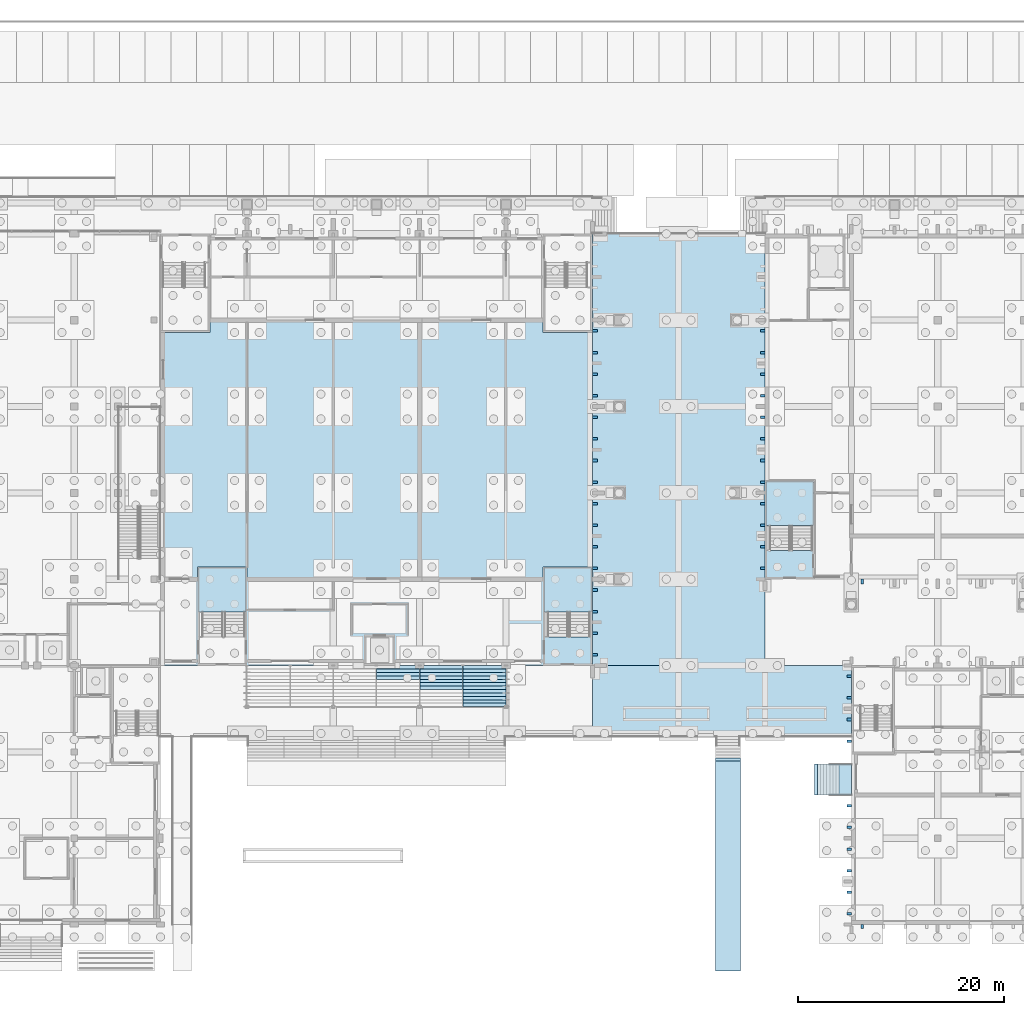
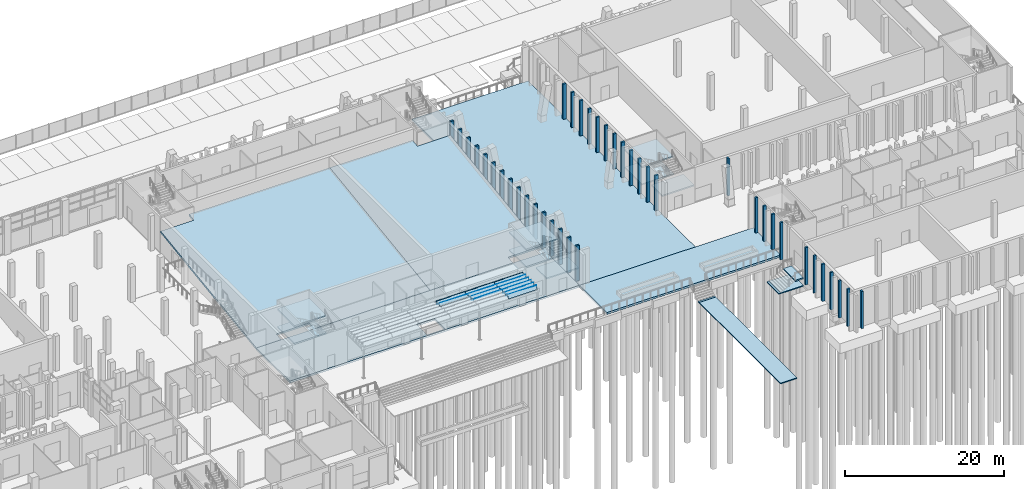
# One storey, part 37 of 129: 63 plates, 18 slabs, 3 elements without a shape of their own.
"""IFC4 building model written with IfcOpenShell, lengths in metres."""

from ifc_helpers import new_model, si_unit, direction, frame, origin, origin_2d, place, context, subcontext, project, spatial, polyline, rectangle, outline, extrude, material, layer, layer_set, type_object, element, aggregate, save


model = new_model("IFC4")

# Units and contexts
model_context = context("Model", 3, precision=1e-05, world=origin(), true_north=direction((0.0, 1.0)))
body_context = subcontext(model_context, "Body", "Model", "MODEL_VIEW")
ifc_project = project(units=[si_unit("LENGTHUNIT", "METRE"), si_unit("AREAUNIT", "SQUARE_METRE"), si_unit("VOLUMEUNIT", "CUBIC_METRE"), si_unit("PLANEANGLEUNIT", "RADIAN"), si_unit("MASSUNIT", "GRAM", prefix="KILO")], contexts=[model_context])

# Site, building, storey
site_placement = place(None, origin())
site = spatial("IfcSite", under=ifc_project, at=site_placement, CompositionType="ELEMENT")
building_placement = place(site_placement, origin())
building = spatial("IfcBuilding", under=site, at=building_placement, Name="Kiln Court Media Centre", CompositionType="ELEMENT")
storey_placement = place(building_placement, origin())
storey = spatial("IfcBuildingStorey", under=building, at=storey_placement, Name="L00", CompositionType="ELEMENT", Elevation=0.0)

# Slabs
ifc_material_1 = material(Name="Concrete C30/37", Category="concrete")
ifc_layer_1 = layer(ifc_material_1, 0.14990234375)
ifc_layer_set_1 = layer_set([ifc_layer_1], Name="Concrete C30/37 paving slab 150")
slab_type_1 = type_object("IfcSlabType", Name="Concrete C30/37 paving slab 150", PredefinedType="BASESLAB", material=ifc_layer_set_1)
slab_1_placement = place(storey_placement, frame((0.0, 0.0, -1.35009765625)))
element("IfcSlab", 1, at=slab_1_placement, inside=storey, type_object=slab_type_1, Name="Paving on grade 9", PredefinedType="BASESLAB", context=body_context, shape_type="SweptSolid", body=[
    extrude(outline(polyline([(115.199951171875, 15.89990234375), (112.800048828125, 15.89990234375), (112.800048828125, -4.5), (115.199951171875, -4.5), (115.199951171875, 15.89990234375)])), origin(), (0.0, 0.0, 1.0), 0.150146484375),
])
slab_2_placement = place(storey_placement, frame((0.0, 0.0, -1.35009765625)))
element("IfcSlab", 2, at=slab_2_placement, inside=storey, type_object=slab_type_1, Name="Paving on grade 10", PredefinedType="BASESLAB", context=body_context, shape_type="SweptSolid", body=[
    extrude(outline(polyline([(122.699951171875, 15.60009765625), (122.699951171875, 12.60009765625), (126.0, 12.60009765625), (126.0, 15.60009765625), (122.699951171875, 15.60009765625)])), origin(), (0.0, 0.0, 1.0), 0.150146484375),
])
ifc_material_2 = material(Name="Concrete C30/37", Category="concrete")
ifc_layer_2 = layer(ifc_material_2, 0.300048828125)
ifc_layer_set_2 = layer_set([ifc_layer_2], Name="Concrete C30/37 plinth slab 300")
slab_type_2 = type_object("IfcSlabType", Name="Concrete C30/37 plinth slab 300", PredefinedType="BASESLAB", material=ifc_layer_set_2)
slab_3_placement = place(storey_placement, frame((0.0, 0.0, -0.300048828125)))
element("IfcSlab", 3, at=slab_3_placement, inside=storey, type_object=slab_type_2, Name="L00-SL-1005", PredefinedType="BASESLAB", context=body_context, shape_type="SweptSolid", body=[
    extrude(outline(polyline([(58.800048828125, 25.199951171875), (58.800048828125, 33.60009765625), (100.800048828125, 33.60009765625), (100.800048828125, 25.199951171875), (58.800048828125, 25.199951171875)]), holes=[polyline([(78.800048828125, 25.39990234375), (81.39990234375, 25.39990234375), (81.39990234375, 28.0), (78.800048828125, 28.0), (78.800048828125, 25.39990234375)])]), origin(), (0.0, 0.0, 1.0), 0.300048828125),
])
slab_4_placement = place(storey_placement, frame((0.0, 0.0, -0.300048828125)))
element("IfcSlab", 4, at=slab_4_placement, inside=storey, type_object=slab_type_2, Name="L00-SL-1011", PredefinedType="BASESLAB", context=body_context, shape_type="SweptSolid", body=[
    extrude(outline(polyline([(100.800048828125, 18.300048828125), (100.800048828125, 25.199951171875), (126.0, 25.199951171875), (126.0, 18.300048828125), (100.800048828125, 18.300048828125)])), origin(), (0.0, 0.0, 1.0), 0.300048828125),
])
slab_5_placement = place(storey_placement, frame((0.0, 0.0, -0.300048828125)))
element("IfcSlab", 5, at=slab_5_placement, inside=storey, type_object=slab_type_2, Name="L00-SL-1012", PredefinedType="BASESLAB", context=body_context, shape_type="SweptSolid", body=[
    extrude(outline(polyline([(100.800048828125, 25.199951171875), (100.800048828125, 67.199951171875), (117.60009765625, 67.199951171875), (117.60009765625, 25.199951171875), (100.800048828125, 25.199951171875)])), origin(), (0.0, 0.0, 1.0), 0.300048828125),
])
ifc_material_3 = material(Name="Concrete C30/37", Category="concrete")
ifc_layer_3 = layer(ifc_material_3, 0.199951171875)
ifc_layer_set_3 = layer_set([ifc_layer_3], Name="Concrete C30/37 porch landing 200")
slab_type_3 = type_object("IfcSlabType", Name="Concrete C30/37 porch landing 200", PredefinedType="LANDING", material=ifc_layer_set_3)
slab_6_placement = place(storey_placement, frame((0.0, 0.0, -0.199951171875)))
element("IfcSlab", 6, at=slab_6_placement, inside=storey, type_object=slab_type_3, Name="EN-10 landing", PredefinedType="LANDING", context=body_context, shape_type="SweptSolid", body=[
    extrude(outline(polyline([(124.800048828125, 12.60009765625), (126.0, 12.60009765625), (126.0, 15.60009765625), (124.800048828125, 15.60009765625), (124.800048828125, 12.60009765625)])), origin(), (0.0, 0.0, 1.0), 0.199951171875),
])
ifc_material_4 = material(Name="Concrete C30/37", Category="concrete")
ifc_layer_4 = layer(ifc_material_4, 0.300048828125)
ifc_layer_set_4 = layer_set([ifc_layer_4], Name="Concrete C30/37 raked slab 300")
slab_type_4 = type_object("IfcSlabType", Name="Concrete C30/37 raked slab 300", PredefinedType="FLOOR", material=ifc_layer_set_4)
slab_7_placement = place(storey_placement, frame((58.800048828125, 33.60009765625, 0.0), z_axis=(5.67693e-07, -0.138651468195, 0.990341239355), x_axis=(0.0, 0.990341239355, 0.138651468195)))
element("IfcSlab", 7, at=slab_7_placement, inside=storey, type_object=slab_type_4, Name="L00-SL-1016", PredefinedType="FLOOR", context=body_context, shape_type="SweptSolid", body=[
    extrude(outline(polyline([(0.0, 0.0), (24.234073571857987, 2.117582368135751e-22), (24.234073571855994, -4.800048828124226), (25.445723816374652, -4.800048828140972), (25.44572381636619, -25.199951171887687), (-1.0455662765393737e-11, -25.19995117187094), (-3.4851871564938323e-12, -8.399902343748646), (1.211650244515171, -8.399902343765392), (1.2116502445171624, -3.599853515641165), (-1.49360822596354e-12, -3.5998535156244196), (0.0, 0.0)])), origin(), (0.0, 0.0, -1.0), 0.300048828125),
])
slab_8_placement = place(storey_placement, frame((84.0, 33.60009765625, 0.0), z_axis=(0.0, -0.138651686234, 0.990341208829), x_axis=(0.0, 0.990341208829, 0.138651686234)))
element("IfcSlab", 8, at=slab_8_placement, inside=storey, type_object=slab_type_4, Name="L00-SL-1017", PredefinedType="FLOOR", context=body_context, shape_type="SweptSolid", body=[
    extrude(outline(polyline([(0.0, 0.0), (25.445723816373626, 0.0), (25.445723816373626, -12.0), (24.234073571861302, -12.0), (24.234073571861302, -16.800048828125), (1.2116502445123276, -16.800048828125), (1.2116502445123276, -12.0), (0.0, -12.0), (0.0, 0.0)])), origin(), (0.0, 0.0, -1.0), 0.300048828125),
])
ifc_material_5 = material(Name="Concrete C30/37", Category="concrete")
ifc_layer_5 = layer(ifc_material_5, 0.14990234375)
ifc_layer_set_5 = layer_set([ifc_layer_5], Name="Concrete C30/37 step foot slab 150")
slab_type_5 = type_object("IfcSlabType", Name="Concrete C30/37 step foot slab 150", PredefinedType="BASESLAB", material=ifc_layer_set_5)
slab_9_placement = place(storey_placement, frame((0.0, 0.0, -1.35009765625)))
element("IfcSlab", 9, at=slab_9_placement, inside=storey, type_object=slab_type_5, Name="Step foot slab", PredefinedType="BASESLAB", context=body_context, shape_type="SweptSolid", body=[
    extrude(outline(polyline([(112.800048828125, 15.89990234375), (115.199951171875, 15.89990234375), (115.199951171875, 16.199951171875), (112.800048828125, 16.199951171875), (112.800048828125, 15.89990234375)])), origin(), (0.0, 0.0, 1.0), 0.150146484375),
])
slab_10_placement = place(storey_placement, frame((0.0, 0.0, -1.35009765625)))
element("IfcSlab", 10, at=slab_10_placement, inside=storey, type_object=slab_type_5, Name="Step foot slab", PredefinedType="BASESLAB", context=body_context, shape_type="SweptSolid", body=[
    extrude(outline(polyline([(122.39990234375, 12.60009765625), (122.699951171875, 12.60009765625), (122.699951171875, 15.60009765625), (122.39990234375, 15.60009765625), (122.39990234375, 12.60009765625)])), origin(), (0.0, 0.0, 1.0), 0.150146484375),
])

# Plates
ifc_material_6 = material(Name="Concrete C40/50", Category="concrete")
ifc_layer_6 = layer(ifc_material_6, 0.25)
ifc_layer_set_6 = layer_set([ifc_layer_6], Name="Concrete C40/50 shading fin 250")
plate_type_1 = type_object("IfcPlateType", Name="Concrete C40/50 shading fin 250", PredefinedType="SHEET", material=ifc_layer_set_6)
for number, where, z_axis, x_axis, name in (
    (11, (101.050048828125, 26.25, -0.2998046875), (0.0, 0.0, 1.0), (1.0, 0.0, 0.0), "V1 E fin L00"),
    (12, (101.050048828125, 28.35009765625, -0.2998046875), (0.0, 0.0, 1.0), (1.0, 0.0, 0.0), "V1 E fin L00"),
    (13, (101.050048828125, 30.449951171875, -0.2998046875), (0.0, 0.0, 1.0), (1.0, 0.0, 0.0), "V1 E fin L00"),
    (14, (101.050048828125, 32.550048828125, -0.2998046875), (0.0, 0.0, 1.0), (1.0, 0.0, 0.0), "V1 E fin L00"),
    (15, (101.050048828125, 34.64990234375, -0.2998046875), (0.0, 0.0, 1.0), (1.0, 0.0, 0.0), "V1 E fin L00"),
    (16, (101.050048828125, 36.75, -0.2998046875), (0.0, 0.0, 1.0), (1.0, 0.0, 0.0), "V1 E fin L00"),
    (17, (101.050048828125, 38.85009765625, -0.2998046875), (0.0, 0.0, 1.0), (1.0, 0.0, 0.0), "V1 E fin L00"),
    (18, (101.050048828125, 40.949951171875, -0.2998046875), (0.0, 0.0, 1.0), (1.0, 0.0, 0.0), "V1 E fin L00"),
    (19, (101.050048828125, 43.050048828125, -0.2998046875), (0.0, 0.0, 1.0), (1.0, 0.0, 0.0), "V1 E fin L00"),
    (20, (101.050048828125, 45.14990234375, -0.2998046875), (0.0, 0.0, 1.0), (1.0, 0.0, 0.0), "V1 E fin L00"),
    (21, (101.050048828125, 47.25, -0.2998046875), (0.0, 0.0, 1.0), (1.0, 0.0, 0.0), "V1 E fin L00"),
    (22, (101.050048828125, 49.35009765625, -0.2998046875), (0.0, 0.0, 1.0), (1.0, 0.0, 0.0), "V1 E fin L00"),
    (23, (101.050048828125, 51.449951171875, -0.2998046875), (0.0, 0.0, 1.0), (1.0, 0.0, 0.0), "V1 E fin L00"),
    (24, (101.050048828125, 53.550048828125, -0.2998046875), (0.0, 0.0, 1.0), (1.0, 0.0, 0.0), "V1 E fin L00"),
    (25, (101.050048828125, 55.64990234375, -0.2998046875), (0.0, 0.0, 1.0), (1.0, 0.0, 0.0), "V1 E fin L00"),
    (26, (101.050048828125, 57.75, -0.2998046875), (0.0, 0.0, 1.0), (1.0, 0.0, 0.0), "V1 E fin L00"),
):
    element("IfcPlate", number, at=place(storey_placement, frame(where, z_axis=z_axis, x_axis=x_axis)), inside=storey, type_object=plate_type_1, Name=name, PredefinedType="SHEET", context=body_context, shape_type="SweptSolid", body=[
        extrude(rectangle(XDim=0.5, YDim=0.25, at=origin_2d()), origin(), (0.0, 0.0, 1.0), 5.699951171875),
    ])
plate_1_placement = place(storey_placement, frame((127.050048828125, 33.375, -0.2998046875), z_axis=(0.0, 0.0, 1.0), x_axis=(1.0, 0.0, 0.0)))
element("IfcPlate", 27, at=plate_1_placement, inside=storey, type_object=plate_type_1, Name="V2 S fin L00", PredefinedType="SHEET", context=body_context, shape_type="SweptSolid", body=[
    extrude(rectangle(XDim=0.25, YDim=0.449951171875, at=origin_2d()), origin(), (0.0, 0.0, 1.0), 5.699951171875),
])
for number, where, z_axis, x_axis, name in (
    (28, (117.375, 34.64990234375, -0.2998046875), (0.0, 0.0, 1.0), (1.0, 0.0, 0.0), "V2 W fin L00"),
    (29, (117.375, 36.75, -0.2998046875), (0.0, 0.0, 1.0), (1.0, 0.0, 0.0), "V2 W fin L00"),
    (30, (117.375, 38.85009765625, -0.2998046875), (0.0, 0.0, 1.0), (1.0, 0.0, 0.0), "V2 W fin L00"),
    (31, (117.375, 40.949951171875, -0.2998046875), (0.0, 0.0, 1.0), (1.0, 0.0, 0.0), "V2 W fin L00"),
    (32, (117.375, 43.050048828125, -0.2998046875), (0.0, 0.0, 1.0), (1.0, 0.0, 0.0), "V2 W fin L00"),
    (33, (117.375, 45.14990234375, -0.2998046875), (0.0, 0.0, 1.0), (1.0, 0.0, 0.0), "V2 W fin L00"),
    (34, (117.375, 47.25, -0.2998046875), (0.0, 0.0, 1.0), (1.0, 0.0, 0.0), "V2 W fin L00"),
    (35, (117.375, 49.35009765625, -0.2998046875), (0.0, 0.0, 1.0), (1.0, 0.0, 0.0), "V2 W fin L00"),
    (36, (117.375, 51.449951171875, -0.2998046875), (0.0, 0.0, 1.0), (1.0, 0.0, 0.0), "V2 W fin L00"),
    (37, (117.375, 53.550048828125, -0.2998046875), (0.0, 0.0, 1.0), (1.0, 0.0, 0.0), "V2 W fin L00"),
    (38, (117.375, 55.64990234375, -0.2998046875), (0.0, 0.0, 1.0), (1.0, 0.0, 0.0), "V2 W fin L00"),
    (39, (117.375, 57.75, -0.2998046875), (0.0, 0.0, 1.0), (1.0, 0.0, 0.0), "V2 W fin L00"),
):
    element("IfcPlate", number, at=place(storey_placement, frame(where, z_axis=z_axis, x_axis=x_axis)), inside=storey, type_object=plate_type_1, Name=name, PredefinedType="SHEET", context=body_context, shape_type="SweptSolid", body=[
        extrude(rectangle(XDim=0.449951171875, YDim=0.25, at=origin_2d()), origin(), (0.0, 0.0, 1.0), 5.699951171875),
    ])
plate_2_placement = place(storey_placement, frame((127.050048828125, -0.199951171875, -0.2998046875), z_axis=(0.0, 0.0, 1.0), x_axis=(1.0, 0.0, 0.0)))
element("IfcPlate", 40, at=plate_2_placement, inside=storey, type_object=plate_type_1, Name="V5 S fin L00", PredefinedType="SHEET", context=body_context, shape_type="SweptSolid", body=[
    extrude(rectangle(XDim=0.25, YDim=0.39990234375, at=origin_2d()), origin(), (0.0, 0.0, 1.0), 5.699951171875),
])
for number, where, z_axis, x_axis, name in (
    (41, (125.800048828125, 1.050048828125, -0.2998046875), (0.0, 0.0, 1.0), (1.0, 0.0, 0.0), "V5 W fin L00"),
    (42, (125.800048828125, 3.14990234375, -0.2998046875), (0.0, 0.0, 1.0), (1.0, 0.0, 0.0), "V5 W fin L00"),
    (43, (125.800048828125, 5.25, -0.2998046875), (0.0, 0.0, 1.0), (1.0, 0.0, 0.0), "V5 W fin L00"),
    (44, (125.800048828125, 7.35009765625, -0.2998046875), (0.0, 0.0, 1.0), (1.0, 0.0, 0.0), "V5 W fin L00"),
    (45, (125.800048828125, 9.449951171875, -0.2998046875), (0.0, 0.0, 1.0), (1.0, 0.0, 0.0), "V5 W fin L00"),
    (46, (125.800048828125, 11.550048828125, -0.2998046875), (0.0, 0.0, 1.0), (1.0, 0.0, 0.0), "V5 W fin L00"),
    (47, (125.800048828125, 17.85009765625, -0.2998046875), (0.0, 0.0, 1.0), (1.0, 0.0, 0.0), "V5 W fin L00"),
    (48, (125.800048828125, 19.949951171875, -0.2998046875), (0.0, 0.0, 1.0), (1.0, 0.0, 0.0), "V5 W fin L00"),
    (49, (125.800048828125, 22.050048828125, -0.2998046875), (0.0, 0.0, 1.0), (1.0, 0.0, 0.0), "V5 W fin L00"),
    (50, (125.800048828125, 24.14990234375, -0.2998046875), (0.0, 0.0, 1.0), (1.0, 0.0, 0.0), "V5 W fin L00"),
):
    element("IfcPlate", number, at=place(storey_placement, frame(where, z_axis=z_axis, x_axis=x_axis)), inside=storey, type_object=plate_type_1, Name=name, PredefinedType="SHEET", context=body_context, shape_type="SweptSolid", body=[
        extrude(rectangle(XDim=0.39990234375, YDim=0.25, at=origin_2d()), origin(), (0.0, 0.0, 1.0), 5.699951171875),
    ])

# Stair, slabs
ifc_material_7 = material(Name="Concrete C40/50", Category="concrete")
stair_type = type_object("IfcStairType", Name="Concrete C40/50 dog-leg stair 2000 wide, 150 riser", PredefinedType="HALF_TURN_STAIR", material=ifc_material_7)
stair_1_placement = place(storey_placement, origin())
stair_1 = element("IfcStair", 51, at=stair_1_placement, inside=storey, type_object=stair_type, Name="ST-09 L00", PredefinedType="HALF_TURN_STAIR")
ifc_material_8 = material(Name="Concrete C40/50", Category="concrete")
ifc_layer_7 = layer(ifc_material_8, 0.199951171875)
ifc_layer_set_7 = layer_set([ifc_layer_7], Name="Concrete C40/50 stair landing 200")
slab_type_6 = type_object("IfcSlabType", Name="Concrete C40/50 stair landing 200", PredefinedType="LANDING", material=ifc_layer_set_7)
slab_11_placement = place(storey_placement, frame((0.0, 0.0, 1.14990234375)))
slab_11 = element("IfcSlab", 52, at=slab_11_placement, type_object=slab_type_6, Name="L00-ST-5008 landing 5024", PredefinedType="LANDING", context=body_context, shape_type="SweptSolid", body=[
    extrude(outline(polyline([(67.1201171875, 30.39990234375), (67.1201171875, 34.719970703125), (62.47998046875, 34.719970703125), (62.47998046875, 30.39990234375), (67.1201171875, 30.39990234375)])), origin(), (0.0, 0.0, 1.0), 0.2001953125),
])
slab_12_placement = place(storey_placement, frame((0.0, 0.0, 3.85009765625)))
slab_12 = element("IfcSlab", 53, at=slab_12_placement, type_object=slab_type_6, Name="L00-ST-5008 landing 5026", PredefinedType="LANDING", context=body_context, shape_type="SweptSolid", body=[
    extrude(outline(polyline([(67.1201171875, 30.39990234375), (67.1201171875, 34.719970703125), (62.47998046875, 34.719970703125), (62.47998046875, 30.39990234375), (67.1201171875, 30.39990234375)])), origin(), (0.0, 0.0, 1.0), 0.199951171875),
])
aggregate(stair_1, [slab_11, slab_12])

stair_2_placement = place(storey_placement, origin())
stair_2 = element("IfcStair", 54, at=stair_2_placement, inside=storey, type_object=stair_type, Name="ST-10 L00", PredefinedType="HALF_TURN_STAIR")
slab_13_placement = place(storey_placement, frame((0.0, 0.0, 1.14990234375)))
slab_13 = element("IfcSlab", 55, at=slab_13_placement, type_object=slab_type_6, Name="L00-ST-5009 landing 5027", PredefinedType="LANDING", context=body_context, shape_type="SweptSolid", body=[
    extrude(outline(polyline([(100.719970703125, 30.39990234375), (100.719970703125, 34.719970703125), (96.080078125, 34.719970703125), (96.080078125, 30.39990234375), (100.719970703125, 30.39990234375)])), origin(), (0.0, 0.0, 1.0), 0.2001953125),
])
slab_14_placement = place(storey_placement, frame((0.0, 0.0, 2.5)))
slab_14 = element("IfcSlab", 56, at=slab_14_placement, type_object=slab_type_6, Name="L00-ST-5009 landing 5028", PredefinedType="LANDING", context=body_context, shape_type="SweptSolid", body=[
    extrude(outline(polyline([(100.719970703125, 25.280029296875), (100.719970703125, 28.0), (96.080078125, 28.0), (96.080078125, 25.280029296875), (100.719970703125, 25.280029296875)])), origin(), (0.0, 0.0, 1.0), 0.199951171875),
])
slab_15_placement = place(storey_placement, frame((0.0, 0.0, 3.85009765625)))
slab_15 = element("IfcSlab", 57, at=slab_15_placement, type_object=slab_type_6, Name="L00-ST-5009 landing 5029", PredefinedType="LANDING", context=body_context, shape_type="SweptSolid", body=[
    extrude(outline(polyline([(100.719970703125, 30.39990234375), (100.719970703125, 34.719970703125), (96.080078125, 34.719970703125), (96.080078125, 30.39990234375), (100.719970703125, 30.39990234375)])), origin(), (0.0, 0.0, 1.0), 0.199951171875),
])
aggregate(stair_2, [slab_13, slab_14, slab_15])

stair_3_placement = place(storey_placement, origin())
stair_3 = element("IfcStair", 58, at=stair_3_placement, inside=storey, type_object=stair_type, Name="ST-13 L00", PredefinedType="HALF_TURN_STAIR")
slab_16_placement = place(storey_placement, frame((0.0, 0.0, 1.14990234375)))
slab_16 = element("IfcSlab", 59, at=slab_16_placement, type_object=slab_type_6, Name="L00-ST-5012 landing 5036", PredefinedType="LANDING", context=body_context, shape_type="SweptSolid", body=[
    extrude(outline(polyline([(122.320068359375, 38.800048828125), (122.320068359375, 43.1201171875), (117.679931640625, 43.1201171875), (117.679931640625, 38.800048828125), (122.320068359375, 38.800048828125)])), origin(), (0.0, 0.0, 1.0), 0.2001953125),
])
slab_17_placement = place(storey_placement, frame((0.0, 0.0, 2.5)))
slab_17 = element("IfcSlab", 60, at=slab_17_placement, type_object=slab_type_6, Name="L00-ST-5012 landing 5037", PredefinedType="LANDING", context=body_context, shape_type="SweptSolid", body=[
    extrude(outline(polyline([(122.320068359375, 33.679931640625), (122.320068359375, 36.39990234375), (117.679931640625, 36.39990234375), (117.679931640625, 33.679931640625), (122.320068359375, 33.679931640625)])), origin(), (0.0, 0.0, 1.0), 0.199951171875),
])
slab_18_placement = place(storey_placement, frame((0.0, 0.0, 3.85009765625)))
slab_18 = element("IfcSlab", 61, at=slab_18_placement, type_object=slab_type_6, Name="L00-ST-5012 landing 5038", PredefinedType="LANDING", context=body_context, shape_type="SweptSolid", body=[
    extrude(outline(polyline([(122.320068359375, 38.800048828125), (122.320068359375, 43.1201171875), (117.679931640625, 43.1201171875), (117.679931640625, 38.800048828125), (122.320068359375, 38.800048828125)])), origin(), (0.0, 0.0, 1.0), 0.199951171875),
])
aggregate(stair_3, [slab_16, slab_17, slab_18])

# Plates
ifc_material_9 = material(Name="Steel ASTM A572 Gr 50", Category="steel")
ifc_layer_8 = layer(ifc_material_9, 0.011962890625)
ifc_layer_set_8 = layer_set([ifc_layer_8], Name="Steel folded plate canopy skin 12")
plate_type_2 = type_object("IfcPlateType", Name="Steel folded plate canopy skin 12", PredefinedType="SHEET", material=ifc_layer_set_8)
for number, where, z_axis, x_axis, name in (
    (62, (79.820068359375, 23.86669921875, 4.836181640625), (0.0, -0.668814265702, 0.743429538015), (1.0, 0.0, 0.0), "Canopy skin 4.5"),
    (63, (79.820068359375, 24.199951171875, 5.135986328125), (0.0, 0.668814265702, 0.743429538015), (1.0, 0.0, 0.0), "Canopy skin 4.5"),
):
    element("IfcPlate", number, at=place(storey_placement, frame(where, z_axis=z_axis, x_axis=x_axis)), inside=storey, type_object=plate_type_2, Name=name, PredefinedType="SHEET", context=body_context, shape_type="SweptSolid", body=[
        extrude(outline(polyline([(0.0, 0.0), (4.159912109375, 0.0), (4.159912109375, 0.44826299747871207), (0.0, 0.44826299747871207), (0.0, 0.0)])), origin(), (0.0, 0.0, -1.0), 0.011962890625),
    ])
plate_3_placement = place(storey_placement, frame((79.820068359375, 24.533203125, 4.836181640625), z_axis=(0.0, -0.668543528592, 0.743673013076), x_axis=(1.0, 0.0, 0.0)))
element("IfcPlate", 64, at=plate_3_placement, inside=storey, type_object=plate_type_2, Name="Canopy skin 4.6", PredefinedType="SHEET", context=body_context, shape_type="SweptSolid", body=[
    extrude(outline(polyline([(0.0, 0.0), (4.159912109375, 0.0), (4.159912109375, 0.4484445285578602), (0.0, 0.4484445285578602), (0.0, 0.0)])), origin(), (0.0, 0.0, -1.0), 0.011962890625),
])
plate_4_placement = place(storey_placement, frame((79.820068359375, 24.86669921875, 5.139404296875), z_axis=(0.0, 0.783482393142, 0.621413984101), x_axis=(1.0, 0.0, 0.0)))
element("IfcPlate", 65, at=plate_4_placement, inside=storey, type_object=plate_type_2, Name="Canopy skin 4.6", PredefinedType="SHEET", context=body_context, shape_type="SweptSolid", body=[
    extrude(outline(polyline([(0.0, 0.0), (4.159912109375, 0.0), (4.159912109375, 0.5362800993397154), (0.0, 0.5362800993397154), (0.0, 0.0)])), origin(), (0.0, 0.0, -1.0), 0.011962890625),
])
for number, where, z_axis, x_axis, name in (
    (66, (84.02001953125, 22.86669921875, 5.135986328125), (0.0, 0.668814265702, 0.743429538015), (1.0, 0.0, 0.0), "Canopy skin 5.3"),
    (67, (84.02001953125, 23.199951171875, 4.836181640625), (0.0, -0.668814265702, 0.743429538015), (1.0, 0.0, 0.0), "Canopy skin 5.4"),
):
    element("IfcPlate", number, at=place(storey_placement, frame(where, z_axis=z_axis, x_axis=x_axis)), inside=storey, type_object=plate_type_2, Name=name, PredefinedType="SHEET", context=body_context, shape_type="SweptSolid", body=[
        extrude(outline(polyline([(0.0, 0.0), (4.159912109375, 0.0), (4.159912109375, 0.44826299747871207), (0.0, 0.44826299747871207), (0.0, 0.0)])), origin(), (0.0, 0.0, -1.0), 0.011962890625),
    ])
plate_5_placement = place(storey_placement, frame((84.02001953125, 23.533203125, 5.135986328125), z_axis=(0.0, 0.668543528592, 0.743673013076), x_axis=(1.0, 0.0, 0.0)))
element("IfcPlate", 68, at=plate_5_placement, inside=storey, type_object=plate_type_2, Name="Canopy skin 5.4", PredefinedType="SHEET", context=body_context, shape_type="SweptSolid", body=[
    extrude(outline(polyline([(0.0, 0.0), (4.159912109375, 0.0), (4.159912109375, 0.4484445285578602), (0.0, 0.4484445285578602), (0.0, 0.0)])), origin(), (0.0, 0.0, -1.0), 0.011962890625),
])
for number, where, z_axis, x_axis, name in (
    (69, (84.02001953125, 23.86669921875, 4.836181640625), (0.0, -0.668814265702, 0.743429538015), (1.0, 0.0, 0.0), "Canopy skin 5.5"),
    (70, (84.02001953125, 24.199951171875, 5.135986328125), (0.0, 0.668814265702, 0.743429538015), (1.0, 0.0, 0.0), "Canopy skin 5.5"),
):
    element("IfcPlate", number, at=place(storey_placement, frame(where, z_axis=z_axis, x_axis=x_axis)), inside=storey, type_object=plate_type_2, Name=name, PredefinedType="SHEET", context=body_context, shape_type="SweptSolid", body=[
        extrude(outline(polyline([(0.0, 0.0), (4.159912109375, 0.0), (4.159912109375, 0.44826299747871207), (0.0, 0.44826299747871207), (0.0, 0.0)])), origin(), (0.0, 0.0, -1.0), 0.011962890625),
    ])
plate_6_placement = place(storey_placement, frame((84.02001953125, 24.533203125, 4.836181640625), z_axis=(0.0, -0.668543528592, 0.743673013076), x_axis=(1.0, 0.0, 0.0)))
element("IfcPlate", 71, at=plate_6_placement, inside=storey, type_object=plate_type_2, Name="Canopy skin 5.6", PredefinedType="SHEET", context=body_context, shape_type="SweptSolid", body=[
    extrude(outline(polyline([(0.0, 0.0), (4.159912109375, 0.0), (4.159912109375, 0.4484445285578602), (0.0, 0.4484445285578602), (0.0, 0.0)])), origin(), (0.0, 0.0, -1.0), 0.011962890625),
])
for number, where, z_axis, x_axis, name in (
    (72, (84.02001953125, 24.86669921875, 5.139404296875), (0.0, 0.783482393142, 0.621413984101), (1.0, 0.0, 0.0), "Canopy skin 5.6"),
    (73, (88.219970703125, 21.199951171875, 4.71923828125), (0.0, -0.783482393142, 0.621413984101), (1.0, 0.0, 0.0), "Canopy skin 6.1"),
):
    element("IfcPlate", number, at=place(storey_placement, frame(where, z_axis=z_axis, x_axis=x_axis)), inside=storey, type_object=plate_type_2, Name=name, PredefinedType="SHEET", context=body_context, shape_type="SweptSolid", body=[
        extrude(outline(polyline([(0.0, 0.0), (4.159912109375, 0.0), (4.159912109375, 0.5362800993397154), (0.0, 0.5362800993397154), (0.0, 0.0)])), origin(), (0.0, 0.0, -1.0), 0.011962890625),
    ])
plate_7_placement = place(storey_placement, frame((88.219970703125, 21.533203125, 5.135986328125), z_axis=(0.0, 0.668543528592, 0.743673013076), x_axis=(1.0, 0.0, 0.0)))
element("IfcPlate", 74, at=plate_7_placement, inside=storey, type_object=plate_type_2, Name="Canopy skin 6.1", PredefinedType="SHEET", context=body_context, shape_type="SweptSolid", body=[
    extrude(outline(polyline([(0.0, 0.0), (4.159912109375, 0.0), (4.159912109375, 0.4484445285578602), (0.0, 0.4484445285578602), (0.0, 0.0)])), origin(), (0.0, 0.0, -1.0), 0.011962890625),
])
for number, where, z_axis, x_axis, name in (
    (75, (88.219970703125, 21.86669921875, 4.836181640625), (0.0, -0.668814265702, 0.743429538015), (1.0, 0.0, 0.0), "Canopy skin 6.2"),
    (76, (88.219970703125, 22.199951171875, 5.135986328125), (0.0, 0.668814265702, 0.743429538015), (1.0, 0.0, 0.0), "Canopy skin 6.2"),
):
    element("IfcPlate", number, at=place(storey_placement, frame(where, z_axis=z_axis, x_axis=x_axis)), inside=storey, type_object=plate_type_2, Name=name, PredefinedType="SHEET", context=body_context, shape_type="SweptSolid", body=[
        extrude(outline(polyline([(0.0, 0.0), (4.159912109375, 0.0), (4.159912109375, 0.44826299747871207), (0.0, 0.44826299747871207), (0.0, 0.0)])), origin(), (0.0, 0.0, -1.0), 0.011962890625),
    ])
plate_8_placement = place(storey_placement, frame((88.219970703125, 22.533203125, 4.836181640625), z_axis=(0.0, -0.668543528592, 0.743673013076), x_axis=(1.0, 0.0, 0.0)))
element("IfcPlate", 77, at=plate_8_placement, inside=storey, type_object=plate_type_2, Name="Canopy skin 6.3", PredefinedType="SHEET", context=body_context, shape_type="SweptSolid", body=[
    extrude(outline(polyline([(0.0, 0.0), (4.159912109375, 0.0), (4.159912109375, 0.4484445285578602), (0.0, 0.4484445285578602), (0.0, 0.0)])), origin(), (0.0, 0.0, -1.0), 0.011962890625),
])
for number, where, z_axis, x_axis, name in (
    (78, (88.219970703125, 22.86669921875, 5.135986328125), (0.0, 0.668814265702, 0.743429538015), (1.0, 0.0, 0.0), "Canopy skin 6.3"),
    (79, (88.219970703125, 23.199951171875, 4.836181640625), (0.0, -0.668814265702, 0.743429538015), (1.0, 0.0, 0.0), "Canopy skin 6.4"),
):
    element("IfcPlate", number, at=place(storey_placement, frame(where, z_axis=z_axis, x_axis=x_axis)), inside=storey, type_object=plate_type_2, Name=name, PredefinedType="SHEET", context=body_context, shape_type="SweptSolid", body=[
        extrude(outline(polyline([(0.0, 0.0), (4.159912109375, 0.0), (4.159912109375, 0.44826299747871207), (0.0, 0.44826299747871207), (0.0, 0.0)])), origin(), (0.0, 0.0, -1.0), 0.011962890625),
    ])
plate_9_placement = place(storey_placement, frame((88.219970703125, 23.533203125, 5.135986328125), z_axis=(0.0, 0.668543528592, 0.743673013076), x_axis=(1.0, 0.0, 0.0)))
element("IfcPlate", 80, at=plate_9_placement, inside=storey, type_object=plate_type_2, Name="Canopy skin 6.4", PredefinedType="SHEET", context=body_context, shape_type="SweptSolid", body=[
    extrude(outline(polyline([(0.0, 0.0), (4.159912109375, 0.0), (4.159912109375, 0.4484445285578602), (0.0, 0.4484445285578602), (0.0, 0.0)])), origin(), (0.0, 0.0, -1.0), 0.011962890625),
])
for number, where, z_axis, x_axis, name in (
    (81, (88.219970703125, 23.86669921875, 4.836181640625), (0.0, -0.668814265702, 0.743429538015), (1.0, 0.0, 0.0), "Canopy skin 6.5"),
    (82, (88.219970703125, 24.199951171875, 5.135986328125), (0.0, 0.668814265702, 0.743429538015), (1.0, 0.0, 0.0), "Canopy skin 6.5"),
):
    element("IfcPlate", number, at=place(storey_placement, frame(where, z_axis=z_axis, x_axis=x_axis)), inside=storey, type_object=plate_type_2, Name=name, PredefinedType="SHEET", context=body_context, shape_type="SweptSolid", body=[
        extrude(outline(polyline([(0.0, 0.0), (4.159912109375, 0.0), (4.159912109375, 0.44826299747871207), (0.0, 0.44826299747871207), (0.0, 0.0)])), origin(), (0.0, 0.0, -1.0), 0.011962890625),
    ])
plate_10_placement = place(storey_placement, frame((88.219970703125, 24.533203125, 4.836181640625), z_axis=(0.0, -0.668543528592, 0.743673013076), x_axis=(1.0, 0.0, 0.0)))
element("IfcPlate", 83, at=plate_10_placement, inside=storey, type_object=plate_type_2, Name="Canopy skin 6.6", PredefinedType="SHEET", context=body_context, shape_type="SweptSolid", body=[
    extrude(outline(polyline([(0.0, 0.0), (4.159912109375, 0.0), (4.159912109375, 0.4484445285578602), (0.0, 0.4484445285578602), (0.0, 0.0)])), origin(), (0.0, 0.0, -1.0), 0.011962890625),
])
plate_11_placement = place(storey_placement, frame((88.219970703125, 24.86669921875, 5.139404296875), z_axis=(0.0, 0.783482393142, 0.621413984101), x_axis=(1.0, 0.0, 0.0)))
element("IfcPlate", 84, at=plate_11_placement, inside=storey, type_object=plate_type_2, Name="Canopy skin 6.6", PredefinedType="SHEET", context=body_context, shape_type="SweptSolid", body=[
    extrude(outline(polyline([(0.0, 0.0), (4.159912109375, 0.0), (4.159912109375, 0.5362800993397154), (0.0, 0.5362800993397154), (0.0, 0.0)])), origin(), (0.0, 0.0, -1.0), 0.011962890625),
])

save(model, "model.ifc")
